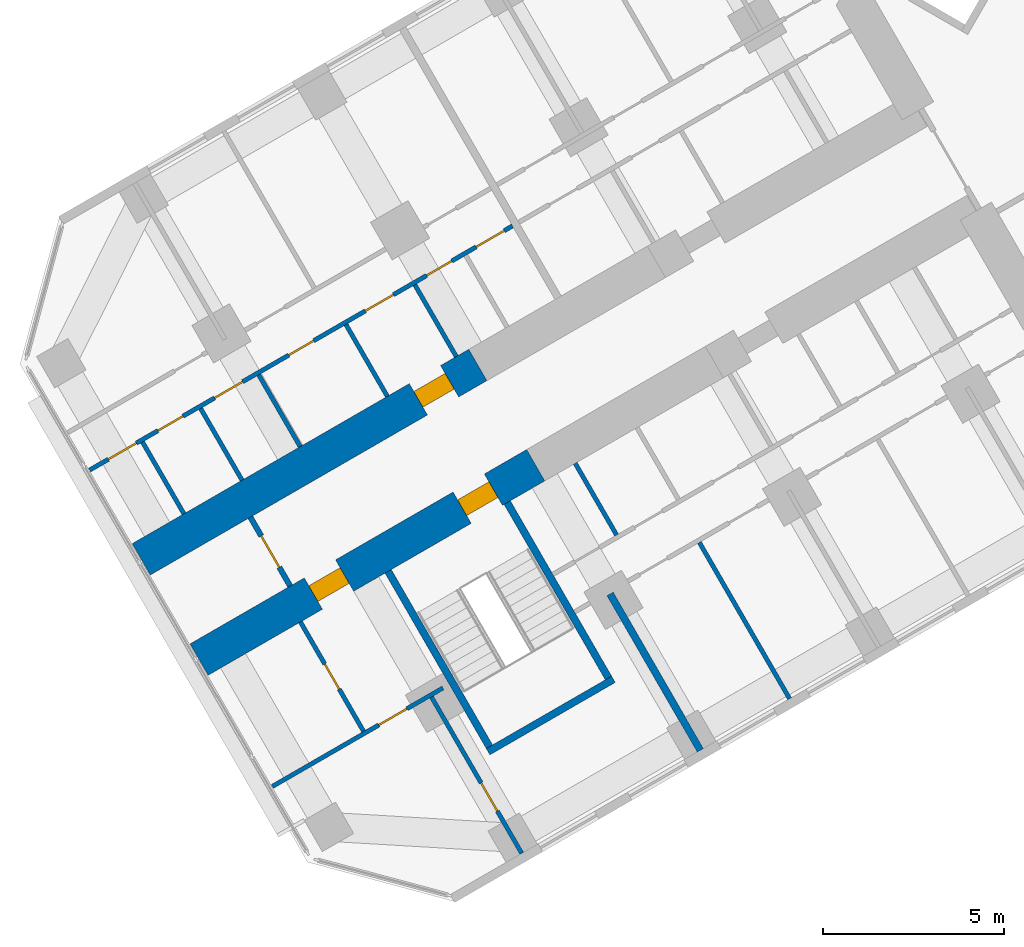
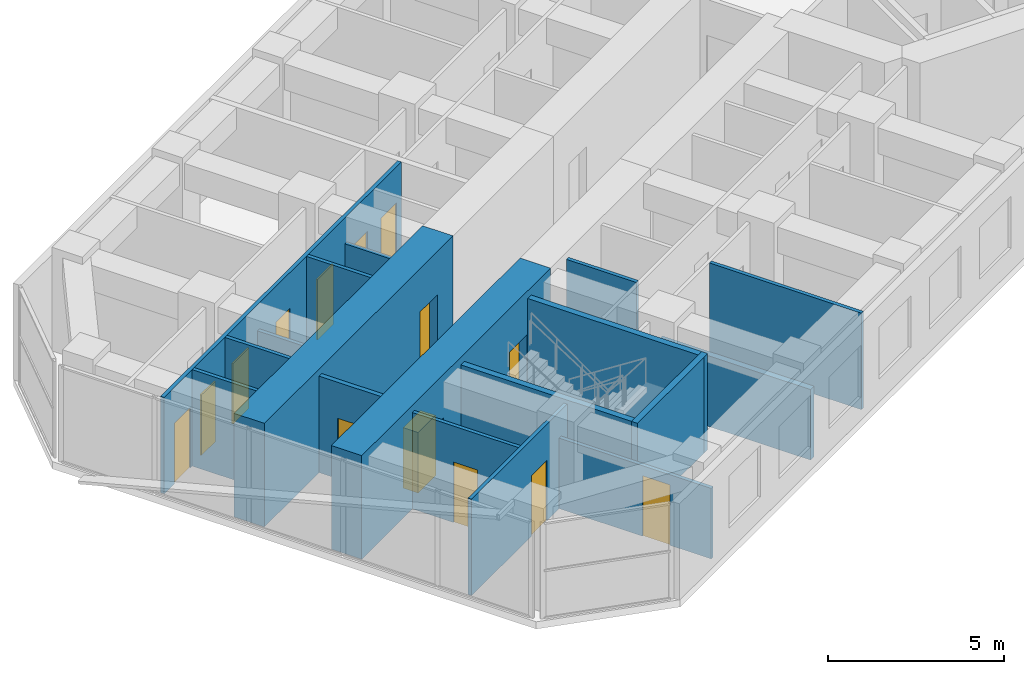
# One storey, part 10 of 21: 18 walls, 14 doors, 14 openings.
"""IFC4 building model written with IfcOpenShell, lengths in metres."""

from ifc_helpers import new_model, si_unit, direction, frame, frame_2d, origin, place, context, subcontext, project, spatial, rectangle, extrude, material, layer, layer_set, type_object, element, fill, save


model = new_model("IFC4")

# Units and contexts
model_context = context("Model", 3, precision=1e-05, world=origin(), true_north=direction((0.0, 1.0)))
body_context = subcontext(model_context, "Body", "Model", "MODEL_VIEW")
ifc_project = project(units=[si_unit("LENGTHUNIT", "METRE"), si_unit("AREAUNIT", "SQUARE_METRE"), si_unit("VOLUMEUNIT", "CUBIC_METRE"), si_unit("PLANEANGLEUNIT", "RADIAN"), si_unit("MASSUNIT", "GRAM", prefix="KILO")], contexts=[model_context])

# Site, building, storey
site_placement = place(None, origin())
site = spatial("IfcSite", under=ifc_project, at=site_placement, CompositionType="ELEMENT")
building_placement = place(site_placement, origin())
building = spatial("IfcBuilding", under=site, at=building_placement, Name="Kosmar Iwan School Tower", CompositionType="ELEMENT")
storey_placement = place(building_placement, frame((0.0, 0.0, 68.199951171875)))
storey = spatial("IfcBuildingStorey", under=building, at=storey_placement, Name="L16", CompositionType="ELEMENT", Elevation=68.199951171875)

# Wall, openings, doors
ifc_material_1 = material(Name="Concrete C50/60", Category="concrete")
ifc_layer_1 = layer(ifc_material_1, 1.0)
ifc_layer_set_1 = layer_set([ifc_layer_1], Name="Corridor buttress wall 1000")
wall_type_1 = type_object("IfcWallType", Name="Corridor buttress wall 1000", PredefinedType="SHEAR", material=ifc_layer_set_1)
wall_1_placement = place(storey_placement, frame((-19.681396484375, -13.210693359375, 0.0), z_axis=(0.0, 0.0, 1.0), x_axis=(-0.866028186671, -0.499995179869, 0.0)))
wall_1 = element("IfcWall", 1, at=wall_1_placement, inside=storey, type_object=wall_type_1, Name="Corridor wall BL bay 3", PredefinedType="SHEAR", context=body_context, shape_type="SweptSolid", body=[
    extrude(rectangle(XDim=10.7451171875, YDim=1.0, at=frame_2d((5.37255859375, 0.0))), origin(), (0.0, 0.0, 1.0), 3.60009765625),
])
opening_1_placement = place(wall_1_placement, frame((6.10009765625, 0.0, 0.0)))
opening_1 = element("IfcOpeningElement", 2, at=opening_1_placement, cuts=wall_1, Name="Opening D1", PredefinedType="OPENING", context=body_context, shape_type="SweptSolid", body=[
    extrude(rectangle(XDim=1.0, YDim=2.10009765625, at=frame_2d((0.5, 1.050048828125))), frame((0.0, 0.511962890625, 0.0), z_axis=(0.0, -1.0, 0.0), x_axis=(1.0, 0.0, 0.0)), (0.0, 0.0, 1.0), 1.02392578125),
])
opening_2_placement = place(wall_1_placement, frame((1.35009765625, 0.0, 0.0)))
opening_2 = element("IfcOpeningElement", 3, at=opening_2_placement, cuts=wall_1, Name="Opening D6", PredefinedType="OPENING", context=body_context, shape_type="SweptSolid", body=[
    extrude(rectangle(XDim=1.0, YDim=2.10009765625, at=frame_2d((0.5, 1.050048828125))), frame((0.0, 0.511962890625, 0.0), z_axis=(0.0, -1.0, 0.0), x_axis=(1.0, 0.0, 0.0)), (0.0, 0.0, 1.0), 1.02392578125),
])
ifc_material_2 = material(Name="Timber fire door in steel frame", Category="steel")
door_type_1 = type_object("IfcDoorType", Name="Flat entrance door 1000x2100", OperationType="SINGLE_SWING_LEFT", PredefinedType="DOOR", material=ifc_material_2)
door_1_placement = place(opening_1_placement, origin())
door_1 = element("IfcDoor", 4, at=door_1_placement, inside=storey, type_object=door_type_1, Name="Flat L16-BL2 entrance door", OperationType="SINGLE_SWING_RIGHT", OverallHeight=2.10009765625, OverallWidth=1.0, PredefinedType="DOOR", context=body_context, shape_type="SweptSolid", body=[
    extrude(rectangle(XDim=1.0, YDim=2.10009765625, at=frame_2d((0.5, 1.050048828125))), frame((0.0, 0.25, 0.0), z_axis=(0.0, -1.0, 0.0), x_axis=(1.0, 0.0, 0.0)), (0.0, 0.0, 1.0), 0.5),
])
fill(opening_1, door_1)
ifc_material_3 = material(Name="Steel fire door", Category="steel")
door_type_2 = type_object("IfcDoorType", Name="Stair door 1000x2100", OperationType="SINGLE_SWING_LEFT", PredefinedType="DOOR", material=ifc_material_3)
door_2_placement = place(opening_2_placement, origin())
door_2 = element("IfcDoor", 5, at=door_2_placement, inside=storey, type_object=door_type_2, Name="Stair WS2 door L16", OperationType="SINGLE_SWING_LEFT", OverallHeight=2.10009765625, OverallWidth=1.0, PredefinedType="DOOR", context=body_context, shape_type="SweptSolid", body=[
    extrude(rectangle(XDim=1.0, YDim=2.10009765625, at=frame_2d((0.5, 1.050048828125))), frame((0.0, 0.25, 0.0), z_axis=(0.0, -1.0, 0.0), x_axis=(1.0, 0.0, 0.0)), (0.0, 0.0, 1.0), 0.5),
])
fill(opening_2, door_2)

# Wall, opening, door
wall_2_placement = place(storey_placement, frame((-21.281494140625, -10.439453125, 0.0), z_axis=(0.0, 0.0, 1.0), x_axis=(-0.866032345022, -0.499987977232, 0.0)))
wall_2 = element("IfcWall", 6, at=wall_2_placement, inside=storey, type_object=wall_type_1, Name="Corridor wall BR bay 3", PredefinedType="SHEAR", context=body_context, shape_type="SweptSolid", body=[
    extrude(rectangle(XDim=10.744873046875, YDim=1.0, at=frame_2d((5.37255859375, 0.0))), origin(), (0.0, 0.0, 1.0), 3.60009765625),
])
opening_3_placement = place(wall_2_placement, frame((0.89990234375, 0.0, 0.0)))
opening_3 = element("IfcOpeningElement", 7, at=opening_3_placement, cuts=wall_2, Name="Opening D1", PredefinedType="OPENING", context=body_context, shape_type="SweptSolid", body=[
    extrude(rectangle(XDim=1.0, YDim=2.10009765625, at=frame_2d((0.5, 1.050048828125))), frame((0.0, 0.511962890625, 0.0), z_axis=(0.0, -1.0, 0.0), x_axis=(1.0, 0.0, 0.0)), (0.0, 0.0, 1.0), 1.02392578125),
])
door_3_placement = place(opening_3_placement, origin())
door_3 = element("IfcDoor", 8, at=door_3_placement, inside=storey, type_object=door_type_1, Name="Flat L16-BR2 entrance door", OperationType="SINGLE_SWING_LEFT", OverallHeight=2.10009765625, OverallWidth=1.0, PredefinedType="DOOR", context=body_context, shape_type="SweptSolid", body=[
    extrude(rectangle(XDim=1.0, YDim=2.10009765625, at=frame_2d((0.5, 1.050048828125))), frame((0.0, 0.25, 0.0), z_axis=(0.0, -1.0, 0.0), x_axis=(1.0, 0.0, 0.0)), (0.0, 0.0, 1.0), 0.5),
])
fill(opening_3, door_3)

ifc_material_4 = material(Name="Gypsum board on steel studs, fire-rated", Category="steel")
ifc_layer_2 = layer(ifc_material_4, 0.14990234375)
ifc_layer_set_2 = layer_set([ifc_layer_2], Name="Corridor end wall 150")
wall_type_2 = type_object("IfcWallType", Name="Corridor end wall 150", PredefinedType="PARTITIONING", material=ifc_layer_set_2)
wall_3_placement = place(storey_placement, frame((-27.570068359375, -14.6474609375, 0.0), z_axis=(0.0, 0.0, 1.0), x_axis=(0.50002983664, -0.866008176907, 0.0)))
wall_3 = element("IfcWall", 9, at=wall_3_placement, inside=storey, type_object=wall_type_2, Name="Partition L16-B-CE", PredefinedType="PARTITIONING", context=body_context, shape_type="SweptSolid", body=[
    extrude(rectangle(XDim=2.199951171875, YDim=0.14990234375, at=frame_2d((1.10009765625, 0.0))), origin(), (0.0, 0.0, 1.0), 3.35009765625),
])
opening_4_placement = place(wall_3_placement, frame((0.60009765625, 0.0, 0.0)))
opening_4 = element("IfcOpeningElement", 10, at=opening_4_placement, cuts=wall_3, Name="Opening D13", PredefinedType="OPENING", context=body_context, shape_type="SweptSolid", body=[
    extrude(rectangle(XDim=1.0, YDim=2.10009765625, at=frame_2d((0.5, 1.050048828125))), frame((0.0, 0.0869140625, 0.0), z_axis=(0.0, -1.0, 0.0), x_axis=(1.0, 0.0, 0.0)), (0.0, 0.0, 1.0), 0.173828125),
])
ifc_material_5 = material(Name="Timber fire door with vision panel", Category="wood")
door_type_3 = type_object("IfcDoorType", Name="Corridor end door 1000x2100", OperationType="SINGLE_SWING_LEFT", PredefinedType="DOOR", material=ifc_material_5)
door_4_placement = place(opening_4_placement, origin())
door_4 = element("IfcDoor", 11, at=door_4_placement, inside=storey, type_object=door_type_3, Name="Children's play room door L16-B", OperationType="SINGLE_SWING_RIGHT", OverallHeight=2.10009765625, OverallWidth=1.0, PredefinedType="DOOR", context=body_context, shape_type="SweptSolid", body=[
    extrude(rectangle(XDim=1.0, YDim=2.10009765625, at=frame_2d((0.5, 1.050048828125))), frame((0.0, 0.02490234375, 0.0), z_axis=(0.0, -1.0, 0.0), x_axis=(1.0, 0.0, 0.0)), (0.0, 0.0, 1.0), 0.050048828125),
])
fill(opening_4, door_4)

# Walls
ifc_material_6 = material(Name="Gypsum board on steel studs", Category="steel")
ifc_layer_3 = layer(ifc_material_6, 0.1201171875)
ifc_layer_set_3 = layer_set([ifc_layer_3], Name="Dwelling partition 120")
wall_type_3 = type_object("IfcWallType", Name="Dwelling partition 120", PredefinedType="PARTITIONING", material=ifc_layer_set_3)
wall_4_placement = place(storey_placement, frame((-15.158447265625, -15.344970703125, 0.0), z_axis=(0.0, 0.0, 1.0), x_axis=(0.500011847778, -0.866018563358, 0.0)))
element("IfcWall", 12, at=wall_4_placement, inside=storey, type_object=wall_type_3, Name="Partition L16-BL1-X4", PredefinedType="PARTITIONING", context=body_context, shape_type="SweptSolid", body=[
    extrude(rectangle(XDim=4.990234375, YDim=0.1201171875, at=frame_2d((2.4951171875, 0.0))), origin(), (0.0, 0.0, 1.0), 3.35009765625),
])
wall_5_placement = place(storey_placement, frame((-18.59033203125, -13.157958984375, 0.0), z_axis=(0.0, 0.0, 1.0), x_axis=(0.500014693593, -0.866016920268, 0.0)))
element("IfcWall", 13, at=wall_5_placement, inside=storey, type_object=wall_type_3, Name="Partition L16-BL1-Y6", PredefinedType="PARTITIONING", context=body_context, shape_type="SweptSolid", body=[
    extrude(rectangle(XDim=2.2900390625, YDim=0.1201171875, at=frame_2d((1.14501953125, 0.0))), origin(), (0.0, 0.0, 1.0), 3.35009765625),
])

# Wall, opening, door
wall_6_placement = place(storey_placement, frame((-22.562744140625, -19.6201171875, 0.0), z_axis=(0.0, 0.0, 1.0), x_axis=(0.499996339024, -0.86602751744, 0.0)))
wall_6 = element("IfcWall", 14, at=wall_6_placement, inside=storey, type_object=wall_type_3, Name="Partition L16-BL2-TX", PredefinedType="PARTITIONING", context=body_context, shape_type="SweptSolid", body=[
    extrude(rectangle(XDim=4.98974609375, YDim=0.1201171875, at=frame_2d((2.494873046875, 0.0))), origin(), (0.0, 0.0, 1.0), 2.449951171875),
])
opening_5_placement = place(wall_6_placement, frame((2.739990234375, 0.0, 0.0)))
opening_5 = element("IfcOpeningElement", 15, at=opening_5_placement, cuts=wall_6, Name="Opening D2", PredefinedType="OPENING", context=body_context, shape_type="SweptSolid", body=[
    extrude(rectangle(XDim=0.89990234375, YDim=2.10009765625, at=frame_2d((0.449951171875, 1.050048828125))), frame((0.0, 0.072021484375, 0.0), z_axis=(0.0, -1.0, 0.0), x_axis=(1.0, 0.0, 0.0)), (0.0, 0.0, 1.0), 0.14404296875),
])
ifc_material_7 = material(Name="Timber door in timber frame", Category="wood")
door_type_4 = type_object("IfcDoorType", Name="Internal door 900x2100", OperationType="SINGLE_SWING_LEFT", PredefinedType="DOOR", material=ifc_material_7)
door_5_placement = place(opening_5_placement, origin())
door_5 = element("IfcDoor", 16, at=door_5_placement, inside=storey, type_object=door_type_4, Name="Bedroom 1 door L16-BL2-T1", OperationType="SINGLE_SWING_RIGHT", OverallHeight=2.10009765625, OverallWidth=0.89990234375, PredefinedType="DOOR", context=body_context, shape_type="SweptSolid", body=[
    extrude(rectangle(XDim=0.89990234375, YDim=2.10009765625, at=frame_2d((0.449951171875, 1.050048828125))), frame((0.0, 0.02490234375, 0.0), z_axis=(0.0, -1.0, 0.0), x_axis=(1.0, 0.0, 0.0)), (0.0, 0.0, 1.0), 0.050048828125),
])
fill(opening_5, door_5)

wall_7_placement = place(storey_placement, frame((-22.246337890625, -19.3681640625, 0.0), z_axis=(0.0, 0.0, 1.0), x_axis=(-0.866035508231, -0.499982498177, 0.0)))
wall_7 = element("IfcWall", 17, at=wall_7_placement, inside=storey, type_object=wall_type_3, Name="Partition L16-BL2-TW", PredefinedType="PARTITIONING", context=body_context, shape_type="SweptSolid", body=[
    extrude(rectangle(XDim=5.445068359375, YDim=0.1201171875, at=frame_2d((2.72265625, 0.0))), origin(), (0.0, 0.0, 1.0), 3.35009765625),
])
opening_6_placement = place(wall_7_placement, frame((1.14990234375, 0.0, 0.0)))
opening_6 = element("IfcOpeningElement", 18, at=opening_6_placement, cuts=wall_7, Name="Opening D2", PredefinedType="OPENING", context=body_context, shape_type="SweptSolid", body=[
    extrude(rectangle(XDim=0.89990234375, YDim=2.10009765625, at=frame_2d((0.449951171875, 1.050048828125))), frame((0.0, 0.072021484375, 0.0), z_axis=(0.0, -1.0, 0.0), x_axis=(1.0, 0.0, 0.0)), (0.0, 0.0, 1.0), 0.14404296875),
])
door_6_placement = place(opening_6_placement, origin())
door_6 = element("IfcDoor", 19, at=door_6_placement, inside=storey, type_object=door_type_4, Name="Entrance hall door L16-BL2-T3", OperationType="SINGLE_SWING_LEFT", OverallHeight=2.10009765625, OverallWidth=0.89990234375, PredefinedType="DOOR", context=body_context, shape_type="SweptSolid", body=[
    extrude(rectangle(XDim=0.89990234375, YDim=2.10009765625, at=frame_2d((0.449951171875, 1.050048828125))), frame((0.0, 0.02490234375, 0.0), z_axis=(0.0, -1.0, 0.0), x_axis=(1.0, 0.0, 0.0)), (0.0, 0.0, 1.0), 0.050048828125),
])
fill(opening_6, door_6)

wall_8_placement = place(storey_placement, frame((-26.1865234375, -17.543701171875, 0.0), z_axis=(0.0, 0.0, 1.0), x_axis=(0.50002117804, -0.866013176292, 0.0)))
wall_8 = element("IfcWall", 20, at=wall_8_placement, inside=storey, type_object=wall_type_3, Name="Partition L16-BL2-TY", PredefinedType="PARTITIONING", context=body_context, shape_type="SweptSolid", body=[
    extrude(rectangle(XDim=3.489990234375, YDim=0.1201171875, at=frame_2d((1.7451171875, 0.0))), origin(), (0.0, 0.0, 1.0), 3.35009765625),
])
opening_7_placement = place(wall_8_placement, frame((1.344970703125, 0.0, 0.0)))
opening_7 = element("IfcOpeningElement", 21, at=opening_7_placement, cuts=wall_8, Name="Opening D3", PredefinedType="OPENING", context=body_context, shape_type="SweptSolid", body=[
    extrude(rectangle(XDim=0.800048828125, YDim=2.10009765625, at=frame_2d((0.39990234375, 1.050048828125))), frame((0.0, 0.072021484375, 0.0), z_axis=(0.0, -1.0, 0.0), x_axis=(1.0, 0.0, 0.0)), (0.0, 0.0, 1.0), 0.14404296875),
])
ifc_material_8 = material(Name="Timber door in timber frame", Category="wood")
door_type_5 = type_object("IfcDoorType", Name="Sanitary room door 800x2100", OperationType="SINGLE_SWING_LEFT", PredefinedType="DOOR", material=ifc_material_8)
door_7_placement = place(opening_7_placement, origin())
door_7 = element("IfcDoor", 22, at=door_7_placement, inside=storey, type_object=door_type_5, Name="Bathroom door L16-BL2-T4", OperationType="SINGLE_SWING_RIGHT", OverallHeight=2.10009765625, OverallWidth=0.800048828125, PredefinedType="DOOR", context=body_context, shape_type="SweptSolid", body=[
    extrude(rectangle(XDim=0.800048828125, YDim=2.10009765625, at=frame_2d((0.39990234375, 1.050048828125))), frame((0.0, 0.02490234375, 0.0), z_axis=(0.0, -1.0, 0.0), x_axis=(1.0, 0.0, 0.0)), (0.0, 0.0, 1.0), 0.050048828125),
])
fill(opening_7, door_7)

# Wall, openings, doors
wall_9_placement = place(storey_placement, frame((-20.324951171875, -6.59619140625, 0.0), z_axis=(0.0, 0.0, 1.0), x_axis=(-0.866023503214, -0.50000329187, 0.0)))
wall_9 = element("IfcWall", 23, at=wall_9_placement, inside=storey, type_object=wall_type_3, Name="Partition L16-BR2-W1", PredefinedType="PARTITIONING", context=body_context, shape_type="SweptSolid", body=[
    extrude(rectangle(XDim=13.4951171875, YDim=0.1201171875, at=frame_2d((6.74755859375, 0.0))), origin(), (0.0, 0.0, 1.0), 3.35009765625),
])
opening_8_placement = place(wall_9_placement, frame((0.262451171875, 0.0, 0.0)))
opening_8 = element("IfcOpeningElement", 24, at=opening_8_placement, cuts=wall_9, Name="Opening D2", PredefinedType="OPENING", context=body_context, shape_type="SweptSolid", body=[
    extrude(rectangle(XDim=0.89990234375, YDim=2.10009765625, at=frame_2d((0.449951171875, 1.050048828125))), frame((0.0, 0.072021484375, 0.0), z_axis=(0.0, -1.0, 0.0), x_axis=(1.0, 0.0, 0.0)), (0.0, 0.0, 1.0), 0.14404296875),
])
opening_9_placement = place(wall_9_placement, frame((1.9375, 0.0, 0.0)))
opening_9 = element("IfcOpeningElement", 25, at=opening_9_placement, cuts=wall_9, Name="Opening D3", PredefinedType="OPENING", context=body_context, shape_type="SweptSolid", body=[
    extrude(rectangle(XDim=0.800048828125, YDim=2.10009765625, at=frame_2d((0.39990234375, 1.050048828125))), frame((0.0, 0.072021484375, 0.0), z_axis=(0.0, -1.0, 0.0), x_axis=(1.0, 0.0, 0.0)), (0.0, 0.0, 1.0), 0.14404296875),
])
opening_10_placement = place(wall_9_placement, frame((3.800048828125, 0.0, 0.0)))
opening_10 = element("IfcOpeningElement", 26, at=opening_10_placement, cuts=wall_9, Name="Opening D2", PredefinedType="OPENING", context=body_context, shape_type="SweptSolid", body=[
    extrude(rectangle(XDim=0.89990234375, YDim=2.10009765625, at=frame_2d((0.449951171875, 1.050048828125))), frame((0.0, 0.072021484375, 0.0), z_axis=(0.0, -1.0, 0.0), x_axis=(1.0, 0.0, 0.0)), (0.0, 0.0, 1.0), 0.14404296875),
])
opening_11_placement = place(wall_9_placement, frame((6.341796875, 0.0, 0.0)))
opening_11 = element("IfcOpeningElement", 27, at=opening_11_placement, cuts=wall_9, Name="Opening D3", PredefinedType="OPENING", context=body_context, shape_type="SweptSolid", body=[
    extrude(rectangle(XDim=0.800048828125, YDim=2.10009765625, at=frame_2d((0.39990234375, 1.050048828125))), frame((0.0, 0.072021484375, 0.0), z_axis=(0.0, -1.0, 0.0), x_axis=(1.0, 0.0, 0.0)), (0.0, 0.0, 1.0), 0.14404296875),
])
opening_12_placement = place(wall_9_placement, frame((8.611083984375, 0.0, 0.0)))
opening_12 = element("IfcOpeningElement", 28, at=opening_12_placement, cuts=wall_9, Name="Opening D2", PredefinedType="OPENING", context=body_context, shape_type="SweptSolid", body=[
    extrude(rectangle(XDim=0.89990234375, YDim=2.10009765625, at=frame_2d((0.449951171875, 1.050048828125))), frame((0.0, 0.072021484375, 0.0), z_axis=(0.0, -1.0, 0.0), x_axis=(1.0, 0.0, 0.0)), (0.0, 0.0, 1.0), 0.14404296875),
])
opening_13_placement = place(wall_9_placement, frame((10.5166015625, 0.0, 0.0)))
opening_13 = element("IfcOpeningElement", 29, at=opening_13_placement, cuts=wall_9, Name="Opening D3", PredefinedType="OPENING", context=body_context, shape_type="SweptSolid", body=[
    extrude(rectangle(XDim=0.800048828125, YDim=2.10009765625, at=frame_2d((0.39990234375, 1.050048828125))), frame((0.0, 0.072021484375, 0.0), z_axis=(0.0, -1.0, 0.0), x_axis=(1.0, 0.0, 0.0)), (0.0, 0.0, 1.0), 0.14404296875),
])
opening_14_placement = place(wall_9_placement, frame((12.00439453125, 0.0, 0.0)))
opening_14 = element("IfcOpeningElement", 30, at=opening_14_placement, cuts=wall_9, Name="Opening D2", PredefinedType="OPENING", context=body_context, shape_type="SweptSolid", body=[
    extrude(rectangle(XDim=0.89990234375, YDim=2.10009765625, at=frame_2d((0.449951171875, 1.050048828125))), frame((0.0, 0.072021484375, 0.0), z_axis=(0.0, -1.0, 0.0), x_axis=(1.0, 0.0, 0.0)), (0.0, 0.0, 1.0), 0.14404296875),
])
door_8_placement = place(opening_8_placement, origin())
door_8 = element("IfcDoor", 31, at=door_8_placement, inside=storey, type_object=door_type_4, Name="Dressing room door L16-BR2-S1", OperationType="SINGLE_SWING_LEFT", OverallHeight=2.10009765625, OverallWidth=0.89990234375, PredefinedType="DOOR", context=body_context, shape_type="SweptSolid", body=[
    extrude(rectangle(XDim=0.89990234375, YDim=2.10009765625, at=frame_2d((0.449951171875, 1.050048828125))), frame((0.0, 0.02490234375, 0.0), z_axis=(0.0, -1.0, 0.0), x_axis=(1.0, 0.0, 0.0)), (0.0, 0.0, 1.0), 0.050048828125),
])
fill(opening_8, door_8)
door_9_placement = place(opening_10_placement, origin())
door_9 = element("IfcDoor", 32, at=door_9_placement, inside=storey, type_object=door_type_4, Name="Entrance hall door L16-BR2-S3", OperationType="SINGLE_SWING_LEFT", OverallHeight=2.10009765625, OverallWidth=0.89990234375, PredefinedType="DOOR", context=body_context, shape_type="SweptSolid", body=[
    extrude(rectangle(XDim=0.89990234375, YDim=2.10009765625, at=frame_2d((0.449951171875, 1.050048828125))), frame((0.0, 0.02490234375, 0.0), z_axis=(0.0, -1.0, 0.0), x_axis=(1.0, 0.0, 0.0)), (0.0, 0.0, 1.0), 0.050048828125),
])
fill(opening_10, door_9)
door_10_placement = place(opening_12_placement, origin())
door_10 = element("IfcDoor", 33, at=door_10_placement, inside=storey, type_object=door_type_4, Name="Pantry door L16-BR2-S5", OperationType="SINGLE_SWING_LEFT", OverallHeight=2.10009765625, OverallWidth=0.89990234375, PredefinedType="DOOR", context=body_context, shape_type="SweptSolid", body=[
    extrude(rectangle(XDim=0.89990234375, YDim=2.10009765625, at=frame_2d((0.449951171875, 1.050048828125))), frame((0.0, 0.02490234375, 0.0), z_axis=(0.0, -1.0, 0.0), x_axis=(1.0, 0.0, 0.0)), (0.0, 0.0, 1.0), 0.050048828125),
])
fill(opening_12, door_10)
door_11_placement = place(opening_14_placement, origin())
door_11 = element("IfcDoor", 34, at=door_11_placement, inside=storey, type_object=door_type_4, Name="Utility room door L16-BR2-S7", OperationType="SINGLE_SWING_LEFT", OverallHeight=2.10009765625, OverallWidth=0.89990234375, PredefinedType="DOOR", context=body_context, shape_type="SweptSolid", body=[
    extrude(rectangle(XDim=0.89990234375, YDim=2.10009765625, at=frame_2d((0.449951171875, 1.050048828125))), frame((0.0, 0.02490234375, 0.0), z_axis=(0.0, -1.0, 0.0), x_axis=(1.0, 0.0, 0.0)), (0.0, 0.0, 1.0), 0.050048828125),
])
fill(opening_14, door_11)
door_12_placement = place(opening_9_placement, origin())
door_12 = element("IfcDoor", 35, at=door_12_placement, inside=storey, type_object=door_type_5, Name="Store door L16-BR2-S2", OperationType="SINGLE_SWING_RIGHT", OverallHeight=2.10009765625, OverallWidth=0.800048828125, PredefinedType="DOOR", context=body_context, shape_type="SweptSolid", body=[
    extrude(rectangle(XDim=0.800048828125, YDim=2.10009765625, at=frame_2d((0.39990234375, 1.050048828125))), frame((0.0, 0.02490234375, 0.0), z_axis=(0.0, -1.0, 0.0), x_axis=(1.0, 0.0, 0.0)), (0.0, 0.0, 1.0), 0.050048828125),
])
fill(opening_9, door_12)
door_13_placement = place(opening_11_placement, origin())
door_13 = element("IfcDoor", 36, at=door_13_placement, inside=storey, type_object=door_type_5, Name="Bathroom door L16-BR2-S4", OperationType="SINGLE_SWING_RIGHT", OverallHeight=2.10009765625, OverallWidth=0.800048828125, PredefinedType="DOOR", context=body_context, shape_type="SweptSolid", body=[
    extrude(rectangle(XDim=0.800048828125, YDim=2.10009765625, at=frame_2d((0.39990234375, 1.050048828125))), frame((0.0, 0.02490234375, 0.0), z_axis=(0.0, -1.0, 0.0), x_axis=(1.0, 0.0, 0.0)), (0.0, 0.0, 1.0), 0.050048828125),
])
fill(opening_11, door_13)
door_14_placement = place(opening_13_placement, origin())
door_14 = element("IfcDoor", 37, at=door_14_placement, inside=storey, type_object=door_type_5, Name="WC door L16-BR2-S6", OperationType="SINGLE_SWING_RIGHT", OverallHeight=2.10009765625, OverallWidth=0.800048828125, PredefinedType="DOOR", context=body_context, shape_type="SweptSolid", body=[
    extrude(rectangle(XDim=0.800048828125, YDim=2.10009765625, at=frame_2d((0.39990234375, 1.050048828125))), frame((0.0, 0.02490234375, 0.0), z_axis=(0.0, -1.0, 0.0), x_axis=(1.0, 0.0, 0.0)), (0.0, 0.0, 1.0), 0.050048828125),
])
fill(opening_13, door_14)

# Walls
wall_10_placement = place(storey_placement, frame((-21.8779296875, -10.206298828125, 0.0), z_axis=(0.0, 0.0, 1.0), x_axis=(-0.500014693593, 0.866016920268, 0.0)))
element("IfcWall", 38, at=wall_10_placement, inside=storey, type_object=wall_type_3, Name="Partition L16-BR2-Y2", PredefinedType="PARTITIONING", context=body_context, shape_type="SweptSolid", body=[
    extrude(rectangle(XDim=2.2900390625, YDim=0.1201171875, at=frame_2d((1.14501953125, 0.0))), origin(), (0.0, 0.0, 1.0), 2.449951171875),
])
wall_11_placement = place(storey_placement, frame((-23.783203125, -11.306396484375, 0.0), z_axis=(0.0, 0.0, 1.0), x_axis=(-0.500014693593, 0.866016920268, 0.0)))
element("IfcWall", 39, at=wall_11_placement, inside=storey, type_object=wall_type_3, Name="Partition L16-BR2-Y3", PredefinedType="PARTITIONING", context=body_context, shape_type="SweptSolid", body=[
    extrude(rectangle(XDim=2.2900390625, YDim=0.1201171875, at=frame_2d((1.14501953125, 0.0))), origin(), (0.0, 0.0, 1.0), 3.35009765625),
])
wall_12_placement = place(storey_placement, frame((-26.193603515625, -12.697998046875, 0.0), z_axis=(0.0, 0.0, 1.0), x_axis=(-0.500014693593, 0.866016920268, 0.0)))
element("IfcWall", 40, at=wall_12_placement, inside=storey, type_object=wall_type_3, Name="Partition L16-BR2-Y4", PredefinedType="PARTITIONING", context=body_context, shape_type="SweptSolid", body=[
    extrude(rectangle(XDim=2.2900390625, YDim=0.1201171875, at=frame_2d((1.14501953125, 0.0))), origin(), (0.0, 0.0, 1.0), 2.449951171875),
])
for number, where, z_axis, x_axis, name in (
    (41, (-27.800537109375, -13.625732421875, 0.0), (0.0, 0.0, 1.0), (-0.500014693593, 0.866016920268, 0.0), "Partition L16-BR2-Y5"),
    (42, (-29.407470703125, -14.553466796875, 0.0), (0.0, 0.0, 1.0), (-0.500014693593, 0.866016920268, 0.0), "Partition L16-BR2-Y6"),
):
    element("IfcWall", number, at=place(storey_placement, frame(where, z_axis=z_axis, x_axis=x_axis)), inside=storey, type_object=wall_type_3, Name=name, PredefinedType="PARTITIONING", context=body_context, shape_type="SweptSolid", body=[
        extrude(rectangle(XDim=2.2900390625, YDim=0.1201171875, at=frame_2d((1.14501953125, 0.0))), origin(), (0.0, 0.0, 1.0), 3.35009765625),
    ])
ifc_material_9 = material(Name="Concrete C35/45", Category="concrete")
ifc_layer_4 = layer(ifc_material_9, 0.199951171875)
ifc_layer_set_4 = layer_set([ifc_layer_4], Name="Escape stair wall 200")
wall_type_4 = type_object("IfcWallType", Name="Escape stair wall 200", PredefinedType="SHEAR", material=ifc_layer_set_4)
for number, where, z_axis, x_axis, name in (
    (43, (-20.470703125, -14.24365234375, 0.0), (0.0, 0.0, 1.0), (0.499987231761, -0.866032775405, 0.0), "Stair WS2 wall"),
    (44, (-23.76171875, -16.1435546875, 0.0), (0.0, 0.0, 1.0), (0.500018801468, -0.86601454848, 0.0), "Stair WS2 wall"),
):
    element("IfcWall", number, at=place(storey_placement, frame(where, z_axis=z_axis, x_axis=x_axis)), inside=storey, type_object=wall_type_4, Name=name, PredefinedType="SHEAR", context=body_context, shape_type="SweptSolid", body=[
        extrude(rectangle(XDim=5.800048828125, YDim=0.199951171875, at=frame_2d((2.89990234375, 0.0))), origin(), (0.0, 0.0, 1.0), 3.330078125),
    ])
wall_13_placement = place(storey_placement, frame((-17.5341796875, -19.1298828125, 0.0), z_axis=(0.0, 0.0, 1.0), x_axis=(-0.866026010844, -0.49999894854, 0.0)))
element("IfcWall", 45, at=wall_13_placement, inside=storey, type_object=wall_type_4, Name="Stair WS2 wall", PredefinedType="SHEAR", context=body_context, shape_type="SweptSolid", body=[
    extrude(rectangle(XDim=4.0, YDim=0.199951171875, at=frame_2d((2.0, 0.0))), origin(), (0.0, 0.0, 1.0), 3.330078125),
])
ifc_material_10 = material(Name="Concrete block masonry", Category="masonry")
ifc_layer_5 = layer(ifc_material_10, 0.199951171875)
ifc_layer_set_5 = layer_set([ifc_layer_5], Name="Party wall 200")
wall_type_5 = type_object("IfcWallType", Name="Party wall 200", PredefinedType="PARTITIONING", material=ifc_layer_set_5)
wall_14_placement = place(storey_placement, frame((-17.62646484375, -16.77001953125, 0.0), z_axis=(0.0, 0.0, 1.0), x_axis=(0.499975153383, -0.86603974851, 0.0)))
element("IfcWall", 46, at=wall_14_placement, inside=storey, type_object=wall_type_5, Name="Partition L16-BL2-TB", PredefinedType="PARTITIONING", context=body_context, shape_type="SweptSolid", body=[
    extrude(rectangle(XDim=4.989990234375, YDim=0.199951171875, at=frame_2d((2.4951171875, 0.0))), origin(), (0.0, 0.0, 1.0), 2.449951171875),
])

save(model, "model.ifc")
